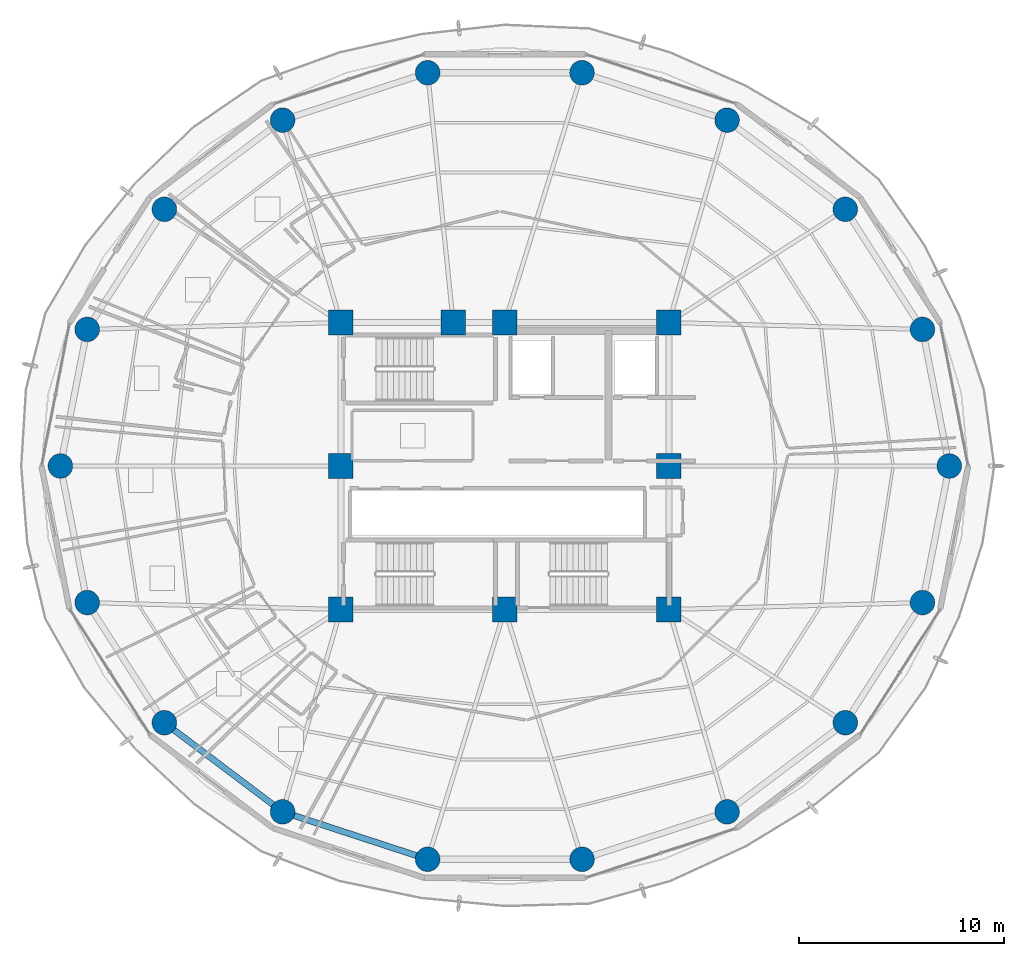
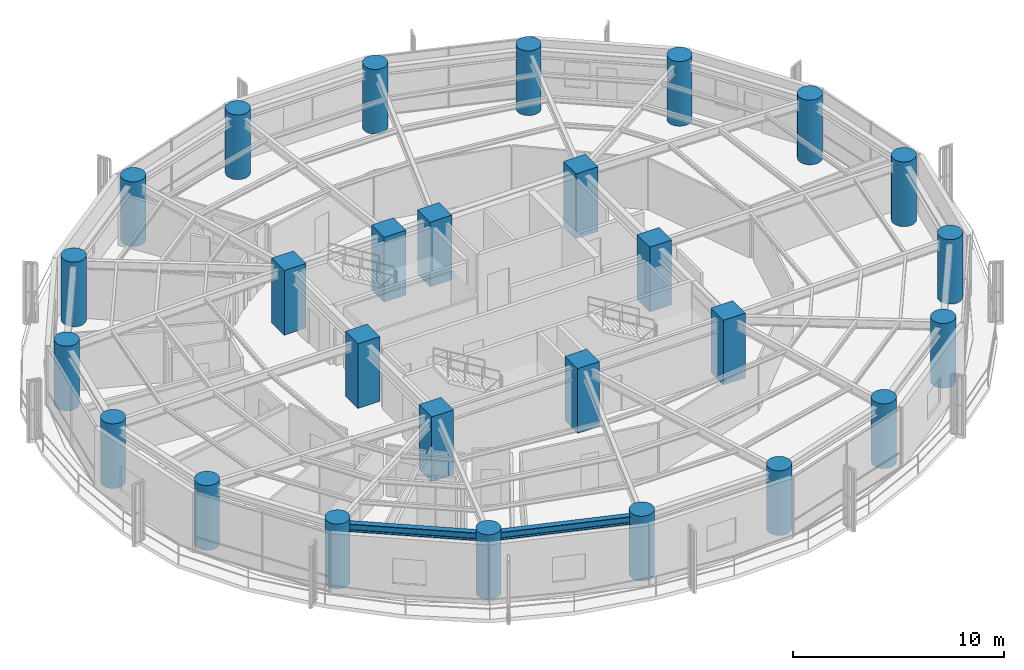
# One storey, part 1 of 28: 27 columns, 2 beams.
"""IFC4 building model written with IfcOpenShell, lengths in metres."""

from ifc_helpers import new_model, si_unit, direction, frame, origin, origin_2d, place, context, subcontext, project, spatial, rectangle, circle, i_section, extrude, material, material_profile, profile_set, type_object, element, save


model = new_model("IFC4")

# Units and contexts
model_context = context("Model", 3, precision=1e-05, world=origin(), true_north=direction((0.0, 1.0)))
body_context = subcontext(model_context, "Body", "Model", "MODEL_VIEW")
ifc_project = project(units=[si_unit("LENGTHUNIT", "METRE"), si_unit("AREAUNIT", "SQUARE_METRE"), si_unit("VOLUMEUNIT", "CUBIC_METRE"), si_unit("PLANEANGLEUNIT", "RADIAN"), si_unit("MASSUNIT", "GRAM", prefix="KILO")], contexts=[model_context])

# Site, building, storey
site_placement = place(None, origin())
site = spatial("IfcSite", under=ifc_project, at=site_placement, CompositionType="ELEMENT")
building_placement = place(site_placement, origin())
building = spatial("IfcBuilding", under=site, at=building_placement, Name="Kelanora Arch Commons", CompositionType="ELEMENT")
storey_placement = place(building_placement, frame((0.0, 0.0, 158.10009765625)))
storey = spatial("IfcBuildingStorey", under=building, at=storey_placement, Name="L40", CompositionType="ELEMENT", Elevation=158.10009765625)

# Columns
ifc_material_1 = material(Name="Concrete C50/60", Category="concrete")
ifc_material_profile_1 = material_profile(ifc_material_1, circle(Radius=0.60009765625, at=origin_2d()), Name="RCC1200")
ifc_profile_set_1 = profile_set([ifc_material_profile_1], Name="Concrete C50/60")
column_type_1 = type_object("IfcColumnType", Name="COL-PERIM-Z3", PredefinedType="COLUMN", material=ifc_profile_set_1)
for number, where, z_axis, x_axis, name in (
    (1, (95.679931640625, 58.0, 0.0), (0.0, 0.0, 1.0), (1.0, 0.0, 0.0), "Perimeter Ring Column CP-00 L40"),
    (2, (94.37255859375, 64.66259765625, 0.0), (0.0, 0.0, 1.0), (1.0, 0.0, 0.0), "Perimeter Ring Column CP-02 L40"),
    (3, (90.60791015625, 70.521484375, 0.0), (0.0, 0.0, 1.0), (1.0, 0.0, 0.0), "Perimeter Ring Column CP-04 L40"),
    (4, (84.840087890625, 74.8701171875, 0.0), (0.0, 0.0, 1.0), (1.0, 0.0, 0.0), "Perimeter Ring Column CP-06 L40"),
    (5, (77.7646484375, 77.18408203125, 0.0), (0.0, 0.0, 1.0), (1.0, 0.0, 0.0), "Perimeter Ring Column CP-08 L40"),
    (6, (70.2353515625, 77.18408203125, 0.0), (0.0, 0.0, 1.0), (1.0, 0.0, 0.0), "Perimeter Ring Column CP-10 L40"),
    (7, (63.159912109375, 74.8701171875, 0.0), (0.0, 0.0, 1.0), (1.0, 0.0, 0.0), "Perimeter Ring Column CP-12 L40"),
    (8, (57.39208984375, 70.521484375, 0.0), (0.0, 0.0, 1.0), (1.0, 0.0, 0.0), "Perimeter Ring Column CP-14 L40"),
    (9, (53.62744140625, 64.66259765625, 0.0), (0.0, 0.0, 1.0), (1.0, 0.0, 0.0), "Perimeter Ring Column CP-16 L40"),
    (10, (52.320068359375, 58.0, 0.0), (0.0, 0.0, 1.0), (1.0, 0.0, 0.0), "Perimeter Ring Column CP-18 L40"),
    (11, (53.62744140625, 51.33740234375, 0.0), (0.0, 0.0, 1.0), (1.0, 0.0, 0.0), "Perimeter Ring Column CP-20 L40"),
    (12, (57.39208984375, 45.478515625, 0.0), (0.0, 0.0, 1.0), (1.0, 0.0, 0.0), "Perimeter Ring Column CP-22 L40"),
    (13, (63.159912109375, 41.1298828125, 0.0), (0.0, 0.0, 1.0), (1.0, 0.0, 0.0), "Perimeter Ring Column CP-24 L40"),
    (14, (70.2353515625, 38.81591796875, 0.0), (0.0, 0.0, 1.0), (1.0, 0.0, 0.0), "Perimeter Ring Column CP-26 L40"),
    (15, (77.7646484375, 38.81591796875, 0.0), (0.0, 0.0, 1.0), (1.0, 0.0, 0.0), "Perimeter Ring Column CP-28 L40"),
    (16, (84.840087890625, 41.1298828125, 0.0), (0.0, 0.0, 1.0), (1.0, 0.0, 0.0), "Perimeter Ring Column CP-30 L40"),
    (17, (90.60791015625, 45.478515625, 0.0), (0.0, 0.0, 1.0), (1.0, 0.0, 0.0), "Perimeter Ring Column CP-32 L40"),
    (18, (94.37255859375, 51.33740234375, 0.0), (0.0, 0.0, 1.0), (1.0, 0.0, 0.0), "Perimeter Ring Column CP-34 L40"),
):
    element("IfcColumn", number, at=place(storey_placement, frame(where, z_axis=z_axis, x_axis=x_axis)), inside=storey, type_object=column_type_1, Name=name, PredefinedType="COLUMN", context=body_context, shape_type="SweptSolid", body=[
        extrude(circle(Radius=0.60009765625, at=origin_2d()), origin(), (0.0, 0.0, 1.0), 3.75),
    ])
ifc_material_2 = material(Name="Concrete C60/75", Category="concrete")
ifc_material_profile_2 = material_profile(ifc_material_2, rectangle(XDim=1.199951171875, YDim=1.199951171875, at=origin_2d()), Name="RC1200x1200")
ifc_profile_set_2 = profile_set([ifc_material_profile_2], Name="Concrete C60/75")
column_type_2 = type_object("IfcColumnType", Name="COL-PIL-MID", PredefinedType="PILASTER", material=ifc_profile_set_2)
for number, where, z_axis, x_axis, name in (
    (19, (66.0, 51.0, 0.0), (0.0, 0.0, 1.0), (1.0, 0.0, 0.0), "Core Pilaster Column CP1 L40"),
    (20, (74.0, 51.0, 0.0), (0.0, 0.0, 1.0), (1.0, 0.0, 0.0), "Core Pilaster Column CP2 L40"),
    (21, (82.0, 51.0, 0.0), (0.0, 0.0, 1.0), (1.0, 0.0, 0.0), "Core Pilaster Column CP3 L40"),
    (22, (82.0, 58.0, 0.0), (0.0, 0.0, 1.0), (1.0, 0.0, 0.0), "Core Pilaster Column CP4 L40"),
    (23, (82.0, 65.0, 0.0), (0.0, 0.0, 1.0), (1.0, 0.0, 0.0), "Core Pilaster Column CP5 L40"),
    (24, (74.0, 65.0, 0.0), (0.0, 0.0, 1.0), (1.0, 0.0, 0.0), "Core Pilaster Column CP6 L40"),
    (25, (71.47998046875, 65.0, 0.0), (0.0, 0.0, 1.0), (1.0, 0.0, 0.0), "Core Pilaster Column CP9 L40"),
    (26, (66.0, 65.0, 0.0), (0.0, 0.0, 1.0), (1.0, 0.0, 0.0), "Core Pilaster Column CP7 L40"),
    (27, (66.0, 58.0, 0.0), (0.0, 0.0, 1.0), (1.0, 0.0, 0.0), "Core Pilaster Column CP8 L40"),
):
    element("IfcColumn", number, at=place(storey_placement, frame(where, z_axis=z_axis, x_axis=x_axis)), inside=storey, type_object=column_type_2, Name=name, PredefinedType="PILASTER", context=body_context, shape_type="SweptSolid", body=[
        extrude(rectangle(XDim=1.199951171875, YDim=1.199951171875, at=origin_2d()), origin(), (0.0, 0.0, 1.0), 3.75),
    ])

# Beams
ifc_material_3 = material(Name="Steel S355", Category="steel")
ifc_material_profile_3 = material_profile(ifc_material_3, i_section(OverallWidth=0.300048828125, OverallDepth=0.449951171875, WebThickness=0.013916015625, FlangeThickness=0.02587890625, FilletRadius=0.027099609375, at=origin_2d()), Name="HEB450")
ifc_profile_set_3 = profile_set([ifc_material_profile_3], Name="Steel S355")
beam_type = type_object("IfcBeamType", Name="BM-SPN-Z3", PredefinedType="SPANDREL", material=ifc_profile_set_3)
beam_1_placement = place(storey_placement, frame((57.39208984375, 45.478515625, 3.264892578125), z_axis=(0.798484645564, -0.60201517489, 0.0), x_axis=(0.60201517489, 0.798484645564, 0.0)))
element("IfcBeam", 28, at=beam_1_placement, inside=storey, type_object=beam_type, Name="Perimeter Spandrel Beam BS-22 L40", PredefinedType="SPANDREL", context=body_context, shape_type="SweptSolid", body=[
    extrude(i_section(OverallWidth=0.300048828125, OverallDepth=0.449951171875, WebThickness=0.013916015625, FlangeThickness=0.02587890625, FilletRadius=0.027099609375, at=origin_2d()), origin(), (0.0, 0.0, 1.0), 7.223388671875),
])
beam_2_placement = place(storey_placement, frame((63.159912109375, 41.1298828125, 3.264892578125), z_axis=(0.950461975786, -0.310840847676, 0.0), x_axis=(0.310840847676, 0.950461975786, 0.0)))
element("IfcBeam", 29, at=beam_2_placement, inside=storey, type_object=beam_type, Name="Perimeter Spandrel Beam BS-24 L40", PredefinedType="SPANDREL", context=body_context, shape_type="SweptSolid", body=[
    extrude(i_section(OverallWidth=0.300048828125, OverallDepth=0.449951171875, WebThickness=0.013916015625, FlangeThickness=0.02587890625, FilletRadius=0.027099609375, at=origin_2d()), origin(), (0.0, 0.0, 1.0), 7.444091796875),
])

save(model, "model.ifc")
